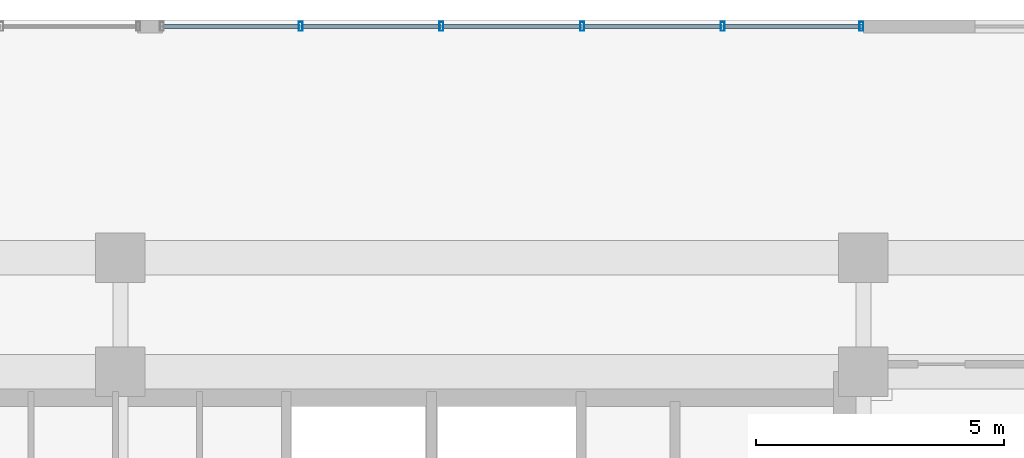
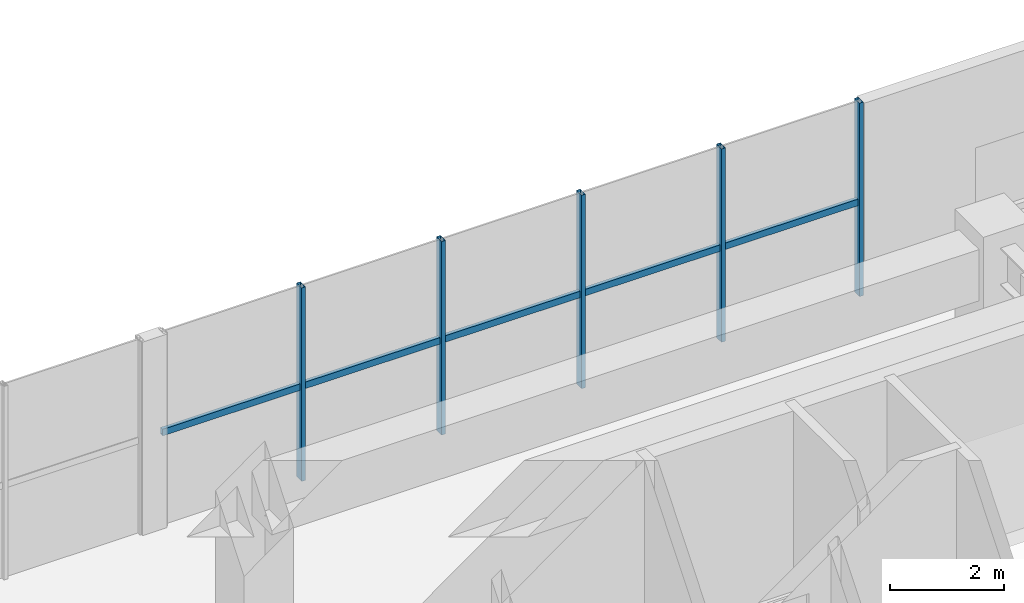
# One storey, part 9 of 21: 10 members, 1 element without a shape of its own.
"""IFC4 building model written with IfcOpenShell, lengths in metres."""

from ifc_helpers import new_model, si_unit, direction, frame, origin, origin_2d, place, context, subcontext, project, spatial, hollow_rectangle, extrude, source, transform, mapped, material, material_profile, profile_set, type_object, element, aggregate, save


model = new_model("IFC4")

# Units and contexts
model_context = context("Model", 3, precision=1e-05, world=origin(), true_north=direction((0.0, 1.0)))
body_context = subcontext(model_context, "Body", "Model", "MODEL_VIEW")
ifc_project = project(units=[si_unit("LENGTHUNIT", "METRE"), si_unit("AREAUNIT", "SQUARE_METRE"), si_unit("VOLUMEUNIT", "CUBIC_METRE"), si_unit("PLANEANGLEUNIT", "RADIAN"), si_unit("MASSUNIT", "GRAM", prefix="KILO")], contexts=[model_context])

# Site, building, storey
site_placement = place(None, origin())
site = spatial("IfcSite", under=ifc_project, at=site_placement, CompositionType="ELEMENT")
building_placement = place(site_placement, origin())
building = spatial("IfcBuilding", under=site, at=building_placement, Name="Trelvane Seafront Commons", CompositionType="ELEMENT")
storey_placement = place(building_placement, frame((0.0, 0.0, 14.199951171875)))
storey = spatial("IfcBuildingStorey", under=building, at=storey_placement, Name="L03", CompositionType="ELEMENT", Elevation=14.199951171875)

# Curtain wall, members
ifc_material = material(Name="Anodised pale-silver aluminium", Category="aluminium")
curtain_wall_type = type_object("IfcCurtainWallType", Name="ARCH-CW1-PODIUM", PredefinedType="NOTDEFINED", material=ifc_material)
curtain_wall_placement = place(storey_placement, origin())
curtain_wall = element("IfcCurtainWall", 1, at=curtain_wall_placement, inside=storey, type_object=curtain_wall_type, Name="CW-L03-0021", PredefinedType="NOTDEFINED")
ifc_material_profile_1 = material_profile(ifc_material, hollow_rectangle(XDim=0.074951171875, YDim=0.139892578125, WallThickness=0.00390625, at=origin_2d()), Name="TRAN-75x140x4")
ifc_profile_set_1 = profile_set([ifc_material_profile_1], Name="Anodised pale-silver aluminium")
member_type_1 = type_object("IfcMemberType", Name="ARCH-CW-TRAN-140", PredefinedType="USERDEFINED", material=ifc_profile_set_1)
shared_shape_1 = source(origin(), body_context, "Body", "SweptSolid", [
    extrude(hollow_rectangle(XDim=0.074951171875, YDim=0.139892578125, WallThickness=0.00390625, at=origin_2d()), origin(), (0.0, 0.0, 1.0), 2.81591796875),
])
member_1_placement = place(storey_placement, frame((44.612060546875, 52.070068359375, 1.991943359375), z_axis=(1.0, 0.0, 0.0), x_axis=(0.0, 1.0, 0.0)))
member_1 = element("IfcMember", 2, at=member_1_placement, type_object=member_type_1, Name="CW-L03-0021-T00", ObjectType="TRANSOM", PredefinedType="USERDEFINED", context=body_context, shape_type="MappedRepresentation", body=[
    mapped(shared_shape_1, transform((0.0, 0.0, 0.0), x_axis=(1.0, 0.0, 0.0), y_axis=(0.0, 1.0, 0.0), z_axis=(0.0, 0.0, 1.0), scale=1.0)),
])
member_2_placement = place(storey_placement, frame((50.2919921875, 52.070068359375, 1.991943359375), z_axis=(1.0, 0.0, 0.0), x_axis=(0.0, 1.0, 0.0)))
member_2 = element("IfcMember", 3, at=member_2_placement, type_object=member_type_1, Name="CW-L03-0021-T02", ObjectType="TRANSOM", PredefinedType="USERDEFINED", context=body_context, shape_type="MappedRepresentation", body=[
    mapped(shared_shape_1, transform((0.0, 0.0, 0.0), x_axis=(1.0, 0.0, 0.0), y_axis=(0.0, 1.0, 0.0), z_axis=(0.0, 0.0, 1.0), scale=1.0)),
])
member_3_placement = place(storey_placement, frame((53.132080078125, 52.070068359375, 1.991943359375), z_axis=(1.0, 0.0, 0.0), x_axis=(0.0, 1.0, 0.0)))
member_3 = element("IfcMember", 4, at=member_3_placement, type_object=member_type_1, Name="CW-L03-0021-T03", ObjectType="TRANSOM", PredefinedType="USERDEFINED", context=body_context, shape_type="MappedRepresentation", body=[
    mapped(shared_shape_1, transform((0.0, 0.0, 0.0), x_axis=(1.0, 0.0, 0.0), y_axis=(0.0, 1.0, 0.0), z_axis=(0.0, 0.0, 1.0), scale=1.0)),
])
shared_shape_2 = source(origin(), body_context, "Body", "SweptSolid", [
    extrude(hollow_rectangle(XDim=0.074951171875, YDim=0.139892578125, WallThickness=0.00390625, at=origin_2d()), origin(), (0.0, 0.0, 1.0), 2.816162109375),
])
member_4_placement = place(storey_placement, frame((47.451904296875, 52.070068359375, 1.991943359375), z_axis=(1.0, 0.0, 0.0), x_axis=(0.0, 1.0, 0.0)))
member_4 = element("IfcMember", 5, at=member_4_placement, type_object=member_type_1, Name="CW-L03-0021-T01", ObjectType="TRANSOM", PredefinedType="USERDEFINED", context=body_context, shape_type="MappedRepresentation", body=[
    mapped(shared_shape_2, transform((0.0, 0.0, 0.0), x_axis=(1.0, 0.0, 0.0), y_axis=(0.0, 1.0, 0.0), z_axis=(0.0, 0.0, 1.0), scale=1.0)),
])
member_5_placement = place(storey_placement, frame((55.971923828125, 52.070068359375, 1.991943359375), z_axis=(1.0, 0.0, 0.0), x_axis=(0.0, 1.0, 0.0)))
member_5 = element("IfcMember", 6, at=member_5_placement, type_object=member_type_1, Name="CW-L03-0021-T04", ObjectType="TRANSOM", PredefinedType="USERDEFINED", context=body_context, shape_type="MappedRepresentation", body=[
    mapped(shared_shape_2, transform((0.0, 0.0, 0.0), x_axis=(1.0, 0.0, 0.0), y_axis=(0.0, 1.0, 0.0), z_axis=(0.0, 0.0, 1.0), scale=1.0)),
])
ifc_material_profile_2 = material_profile(ifc_material, hollow_rectangle(XDim=0.080078125, YDim=0.179931640625, WallThickness=0.00439453125, at=origin_2d()), Name="MULL-80x180x4.5")
ifc_profile_set_2 = profile_set([ifc_material_profile_2], Name="Anodised pale-silver aluminium")
member_type_2 = type_object("IfcMemberType", Name="ARCH-CW-MULL-180", PredefinedType="MULLION", material=ifc_profile_set_2)
shared_shape_3 = source(origin(), body_context, "Body", "SweptSolid", [
    extrude(hollow_rectangle(XDim=0.080078125, YDim=0.179931640625, WallThickness=0.00439453125, at=origin_2d()), origin(), (0.0, 0.0, 1.0), 4.150146484375),
])
member_6_placement = place(storey_placement, frame((47.43994140625, 52.070068359375, 0.0), z_axis=(0.0, 0.0, 1.0), x_axis=(1.0, 0.0, 0.0)))
member_6 = element("IfcMember", 7, at=member_6_placement, type_object=member_type_2, Name="CW-L03-0021-M01", PredefinedType="MULLION", context=body_context, shape_type="MappedRepresentation", body=[
    mapped(shared_shape_3, transform((0.0, 0.0, 0.0), x_axis=(1.0, 0.0, 0.0), y_axis=(0.0, 1.0, 0.0), z_axis=(0.0, 0.0, 1.0), scale=1.0)),
])
member_7_placement = place(storey_placement, frame((50.280029296875, 52.070068359375, 0.0), z_axis=(0.0, 0.0, 1.0), x_axis=(1.0, 0.0, 0.0)))
member_7 = element("IfcMember", 8, at=member_7_placement, type_object=member_type_2, Name="CW-L03-0021-M02", PredefinedType="MULLION", context=body_context, shape_type="MappedRepresentation", body=[
    mapped(shared_shape_3, transform((0.0, 0.0, 0.0), x_axis=(1.0, 0.0, 0.0), y_axis=(0.0, 1.0, 0.0), z_axis=(0.0, 0.0, 1.0), scale=1.0)),
])
member_8_placement = place(storey_placement, frame((53.1201171875, 52.070068359375, 0.0), z_axis=(0.0, 0.0, 1.0), x_axis=(1.0, 0.0, 0.0)))
member_8 = element("IfcMember", 9, at=member_8_placement, type_object=member_type_2, Name="CW-L03-0021-M03", PredefinedType="MULLION", context=body_context, shape_type="MappedRepresentation", body=[
    mapped(shared_shape_3, transform((0.0, 0.0, 0.0), x_axis=(1.0, 0.0, 0.0), y_axis=(0.0, 1.0, 0.0), z_axis=(0.0, 0.0, 1.0), scale=1.0)),
])
member_9_placement = place(storey_placement, frame((55.9599609375, 52.070068359375, 0.0), z_axis=(0.0, 0.0, 1.0), x_axis=(1.0, 0.0, 0.0)))
member_9 = element("IfcMember", 10, at=member_9_placement, type_object=member_type_2, Name="CW-L03-0021-M04", PredefinedType="MULLION", context=body_context, shape_type="MappedRepresentation", body=[
    mapped(shared_shape_3, transform((0.0, 0.0, 0.0), x_axis=(1.0, 0.0, 0.0), y_axis=(0.0, 1.0, 0.0), z_axis=(0.0, 0.0, 1.0), scale=1.0)),
])
member_10_placement = place(storey_placement, frame((58.760009765625, 52.070068359375, 0.0), z_axis=(0.0, 0.0, 1.0), x_axis=(1.0, 0.0, 0.0)))
member_10 = element("IfcMember", 11, at=member_10_placement, type_object=member_type_2, Name="CW-L03-0021-M05", PredefinedType="MULLION", context=body_context, shape_type="MappedRepresentation", body=[
    mapped(shared_shape_3, transform((0.0, 0.0, 0.0), x_axis=(1.0, 0.0, 0.0), y_axis=(0.0, 1.0, 0.0), z_axis=(0.0, 0.0, 1.0), scale=1.0)),
])
aggregate(curtain_wall, [member_6, member_7, member_8, member_9, member_10, member_1, member_4, member_2, member_3, member_5])

save(model, "model.ifc")
